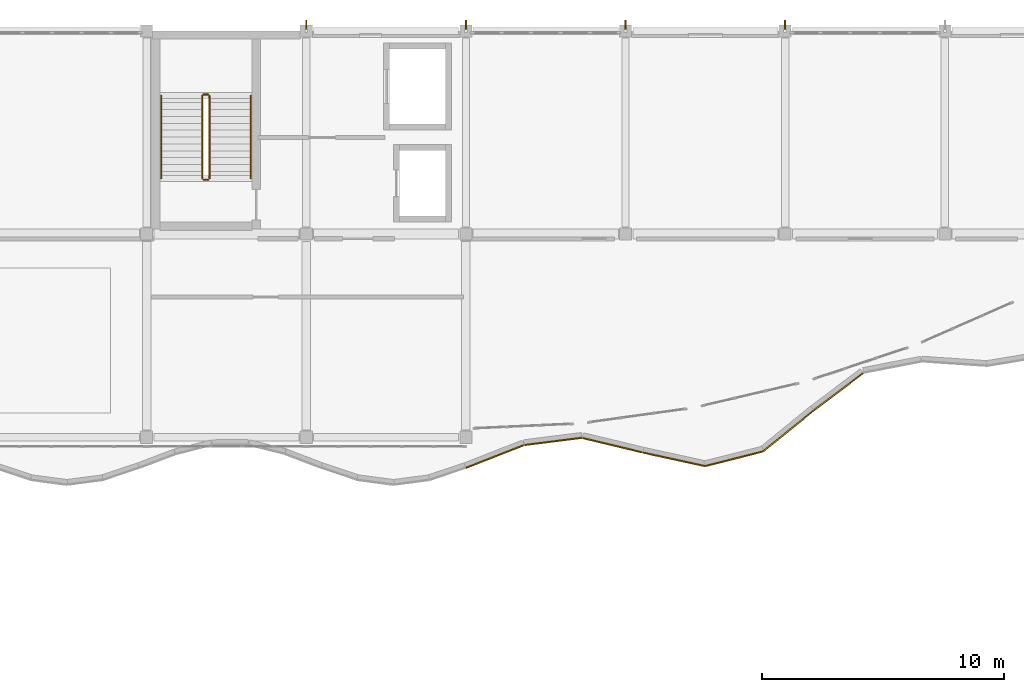
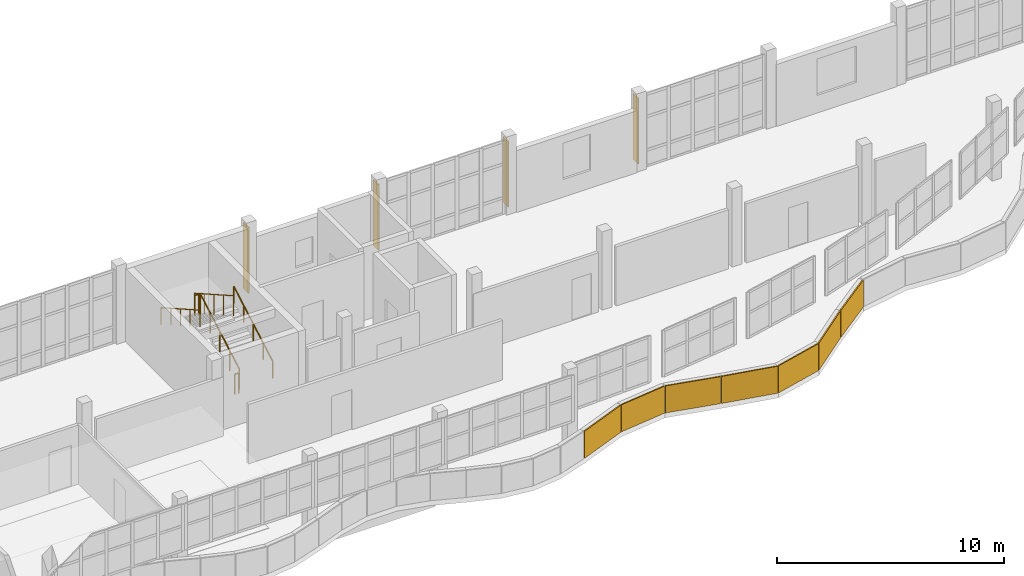
# One storey, part 74 of 78: 7 coverings, 6 railings, 4 shading devices.
"""IFC4 building model written with IfcOpenShell, lengths in metres."""

from ifc_helpers import new_model, si_unit, direction, frame, origin, origin_2d, place, context, subcontext, project, spatial, rectangle, circle, extrude, material, layer, layer_set, type_object, element, save


model = new_model("IFC4")

# Units and contexts
model_context = context("Model", 3, precision=1e-05, world=origin(), true_north=direction((0.0, 1.0)))
body_context = subcontext(model_context, "Body", "Model", "MODEL_VIEW")
ifc_project = project(units=[si_unit("LENGTHUNIT", "METRE"), si_unit("AREAUNIT", "SQUARE_METRE"), si_unit("VOLUMEUNIT", "CUBIC_METRE"), si_unit("PLANEANGLEUNIT", "RADIAN"), si_unit("MASSUNIT", "GRAM", prefix="KILO")], contexts=[model_context])

# Site, building, storey
site_placement = place(None, origin())
site = spatial("IfcSite", under=ifc_project, at=site_placement, CompositionType="ELEMENT")
building_placement = place(site_placement, origin())
building = spatial("IfcBuilding", under=site, at=building_placement, Name="Qaldarim Faculty of Natural and Applied Sciences", CompositionType="ELEMENT")
storey_placement = place(building_placement, frame((0.0, 0.0, 18.60009765625)))
storey = spatial("IfcBuildingStorey", under=building, at=storey_placement, Name="L04", CompositionType="ELEMENT", Elevation=18.60009765625)

# Railings
ifc_material_1 = material(Name="Architectural stainless steel 316", Category="steel")
railing_type_1 = type_object("IfcRailingType", Name="GuardBalustrade-1100", PredefinedType="BALUSTRADE", material=ifc_material_1)
railing_1_placement = place(storey_placement, frame((101.60009765625, 111.5, 0.159912109375)))
element("IfcRailing", 1, at=railing_1_placement, inside=storey, type_object=railing_type_1, Name="ST-B1 L04 stair well guard 1", PredefinedType="BALUSTRADE", context=body_context, shape_type="SweptSolid", body=[
    extrude(circle(Radius=0.02392578125, at=origin_2d()), frame((0.0, 0.0, 1.076171875), z_axis=(0.0, 0.869805479697, 0.493394798806), x_axis=(-1.0, 0.0, 0.0)), (0.0, 0.0, 1.0), 3.931884765625),
    extrude(circle(Radius=0.02099609375, at=origin_2d()), origin(), (0.0, 0.0, 1.0), 1.052001953125),
    extrude(circle(Radius=0.02099609375, at=origin_2d()), frame((0.0, 0.85498046875, 0.48486328125)), (0.0, 0.0, 1.0), 1.052001953125),
    extrude(circle(Radius=0.02099609375, at=origin_2d()), frame((0.0, 1.7099609375, 0.969970703125)), (0.0, 0.0, 1.0), 1.052001953125),
    extrude(circle(Radius=0.02099609375, at=origin_2d()), frame((0.0, 2.56494140625, 1.455078125)), (0.0, 0.0, 1.0), 1.052001953125),
    extrude(circle(Radius=0.02099609375, at=origin_2d()), frame((0.0, 3.419921875, 1.93994140625)), (0.0, 0.0, 1.0), 1.052001953125),
])
railing_2_placement = place(storey_placement, frame((101.550048828125, 114.969970703125, 2.099853515625)))
element("IfcRailing", 2, at=railing_2_placement, inside=storey, type_object=railing_type_1, Name="ST-B1 L04 stair well guard 2", PredefinedType="BALUSTRADE", context=body_context, shape_type="SweptSolid", body=[
    extrude(circle(Radius=0.02392578125, at=origin_2d()), frame((0.0, 0.0, 1.076171875), z_axis=(-1.0, 0.0, 0.0), x_axis=(0.0, -1.0, 0.0)), (0.0, 0.0, 1.0), 0.199951171875),
    extrude(circle(Radius=0.02099609375, at=origin_2d()), origin(), (0.0, 0.0, 1.0), 1.052001953125),
    extrude(circle(Radius=0.02099609375, at=origin_2d()), frame((-0.199951171875, 0.0, 0.0)), (0.0, 0.0, 1.0), 1.052001953125),
])
railing_3_placement = place(storey_placement, frame((101.300048828125, 114.919921875, 2.260009765625)))
element("IfcRailing", 3, at=railing_3_placement, inside=storey, type_object=railing_type_1, Name="ST-B1 L04 stair well guard 3", PredefinedType="BALUSTRADE", context=body_context, shape_type="SweptSolid", body=[
    extrude(circle(Radius=0.02392578125, at=origin_2d()), frame((0.0, 0.0, 1.076171875), z_axis=(0.0, -0.869805479697, 0.493394798806), x_axis=(1.0, 0.0, 0.0)), (0.0, 0.0, 1.0), 3.931884765625),
    extrude(circle(Radius=0.02099609375, at=origin_2d()), origin(), (0.0, 0.0, 1.0), 1.052001953125),
    extrude(circle(Radius=0.02099609375, at=origin_2d()), frame((0.0, -0.85498046875, 0.48486328125)), (0.0, 0.0, 1.0), 1.052001953125),
    extrude(circle(Radius=0.02099609375, at=origin_2d()), frame((0.0, -1.7099609375, 0.969970703125)), (0.0, 0.0, 1.0), 1.052001953125),
    extrude(circle(Radius=0.02099609375, at=origin_2d()), frame((0.0, -2.56494140625, 1.455078125)), (0.0, 0.0, 1.0), 1.052001953125),
    extrude(circle(Radius=0.02099609375, at=origin_2d()), frame((0.0, -3.419921875, 1.93994140625)), (0.0, 0.0, 1.0), 1.052001953125),
])
railing_4_placement = place(storey_placement, frame((101.550048828125, 111.449951171875, 0.0)))
element("IfcRailing", 4, at=railing_4_placement, inside=storey, type_object=railing_type_1, Name="ST-B1 L04 stair well guard 4", PredefinedType="BALUSTRADE", context=body_context, shape_type="SweptSolid", body=[
    extrude(circle(Radius=0.02392578125, at=origin_2d()), frame((0.0, 0.0, 1.076171875), z_axis=(-1.0, 0.0, 0.0), x_axis=(0.0, -1.0, 0.0)), (0.0, 0.0, 1.0), 0.199951171875),
    extrude(circle(Radius=0.02099609375, at=origin_2d()), origin(), (0.0, 0.0, 1.0), 1.052001953125),
    extrude(circle(Radius=0.02099609375, at=origin_2d()), frame((-0.199951171875, 0.0, 0.0)), (0.0, 0.0, 1.0), 1.052001953125),
])

# Coverings
ifc_material_2 = material(Name="White architectural precast concrete C40/50", Category="concrete")
ifc_layer_1 = layer(ifc_material_2, 0.06005859375)
ifc_layer_set_1 = layer_set([ifc_layer_1], Name="White architectural precast concrete C40/50")
covering_type = type_object("IfcCoveringType", Name="LimestoneSpandrelCladding-60", PredefinedType="CLADDING", material=ifc_layer_set_1)
covering_1_placement = place(storey_placement, frame((113.39501953125, 100.0, 0.0), z_axis=(0.0, 0.0, 1.0), x_axis=(0.93098574739, 0.365055527497, 0.0)))
element("IfcCovering", 5, at=covering_1_placement, inside=storey, type_object=covering_type, Name="White limestone wave band fascia L04 chord 45", PredefinedType="CLADDING", context=body_context, shape_type="SweptSolid", body=[
    extrude(rectangle(XDim=2.550048828125, YDim=0.06005859375, at=origin_2d()), origin(), (0.0, 0.0, 1.0), 1.449951171875),
])
covering_2_placement = place(storey_placement, frame((115.804931640625, 100.625, 0.0), z_axis=(0.0, 0.0, 1.0), x_axis=(0.992212831803, 0.124553989924, 0.0)))
element("IfcCovering", 6, at=covering_2_placement, inside=storey, type_object=covering_type, Name="White limestone wave band fascia L04 chord 46", PredefinedType="CLADDING", context=body_context, shape_type="SweptSolid", body=[
    extrude(rectangle(XDim=2.3701171875, YDim=0.06005859375, at=origin_2d()), origin(), (0.0, 0.0, 1.0), 1.449951171875),
])
covering_3_placement = place(storey_placement, frame((118.260009765625, 100.469970703125, 0.0), z_axis=(0.0, 0.0, 1.0), x_axis=(0.972051217016, -0.234768889545, 0.0)))
element("IfcCovering", 7, at=covering_3_placement, inside=storey, type_object=covering_type, Name="White limestone wave band fascia L04 chord 47", PredefinedType="CLADDING", context=body_context, shape_type="SweptSolid", body=[
    extrude(rectangle(XDim=2.534912109375, YDim=0.06005859375, at=origin_2d()), origin(), (0.0, 0.0, 1.0), 1.449951171875),
])
covering_4_placement = place(storey_placement, frame((120.804931640625, 99.885009765625, 0.0), z_axis=(0.0, 0.0, 1.0), x_axis=(0.977023260588, -0.21313270108, 0.0)))
element("IfcCovering", 8, at=covering_4_placement, inside=storey, type_object=covering_type, Name="White limestone wave band fascia L04 chord 48", PredefinedType="CLADDING", context=body_context, shape_type="SweptSolid", body=[
    extrude(rectangle(XDim=2.610107421875, YDim=0.06005859375, at=origin_2d()), origin(), (0.0, 0.0, 1.0), 1.449951171875),
])
covering_5_placement = place(storey_placement, frame((123.2900390625, 99.909912109375, 0.0), z_axis=(0.0, 0.0, 1.0), x_axis=(0.969428221846, 0.245375065334, 0.0)))
element("IfcCovering", 9, at=covering_5_placement, inside=storey, type_object=covering_type, Name="White limestone wave band fascia L04 chord 49", PredefinedType="CLADDING", context=body_context, shape_type="SweptSolid", body=[
    extrude(rectangle(XDim=2.445068359375, YDim=0.06005859375, at=origin_2d()), origin(), (0.0, 0.0, 1.0), 1.449951171875),
])
covering_6_placement = place(storey_placement, frame((125.534912109375, 101.06005859375, 0.0), z_axis=(0.0, 0.0, 1.0), x_axis=(0.776343519861, 0.630310034165, 0.0)))
element("IfcCovering", 10, at=covering_6_placement, inside=storey, type_object=covering_type, Name="White limestone wave band fascia L04 chord 50", PredefinedType="CLADDING", context=body_context, shape_type="SweptSolid", body=[
    extrude(rectangle(XDim=2.6650390625, YDim=0.06005859375, at=origin_2d()), origin(), (0.0, 0.0, 1.0), 1.449951171875),
])
covering_7_placement = place(storey_placement, frame((127.610107421875, 102.68505859375, 0.0), z_axis=(0.0, 0.0, 1.0), x_axis=(0.797889137647, 0.602804216994, 0.0)))
element("IfcCovering", 11, at=covering_7_placement, inside=storey, type_object=covering_type, Name="White limestone wave band fascia L04 chord 51", PredefinedType="CLADDING", context=body_context, shape_type="SweptSolid", body=[
    extrude(rectangle(XDim=2.52490234375, YDim=0.06005859375, at=origin_2d()), origin(), (0.0, 0.0, 1.0), 1.449951171875),
])

# Railings
railing_type_2 = type_object("IfcRailingType", Name="StairHandrail-920", PredefinedType="HANDRAIL", material=ifc_material_1)
railing_5_placement = place(storey_placement, frame((103.300048828125, 111.5, 0.159912109375)))
element("IfcRailing", 12, at=railing_5_placement, inside=storey, type_object=railing_type_2, Name="ST-B1 L04 stair handrail 1", PredefinedType="HANDRAIL", context=body_context, shape_type="SweptSolid", body=[
    extrude(circle(Radius=0.02392578125, at=origin_2d()), frame((0.0, 0.0, 0.89599609375), z_axis=(0.0, 0.869805479697, 0.493394798806), x_axis=(-1.0, 0.0, 0.0)), (0.0, 0.0, 1.0), 3.931884765625),
    extrude(circle(Radius=0.02099609375, at=origin_2d()), origin(), (0.0, 0.0, 1.0), 0.871826171875),
    extrude(circle(Radius=0.02099609375, at=origin_2d()), frame((0.0, 0.85498046875, 0.48486328125)), (0.0, 0.0, 1.0), 0.871826171875),
    extrude(circle(Radius=0.02099609375, at=origin_2d()), frame((0.0, 1.7099609375, 0.969970703125)), (0.0, 0.0, 1.0), 0.871826171875),
    extrude(circle(Radius=0.02099609375, at=origin_2d()), frame((0.0, 2.56494140625, 1.455078125)), (0.0, 0.0, 1.0), 0.871826171875),
    extrude(circle(Radius=0.02099609375, at=origin_2d()), frame((0.0, 3.419921875, 1.93994140625)), (0.0, 0.0, 1.0), 0.871826171875),
])
railing_6_placement = place(storey_placement, frame((99.60009765625, 114.919921875, 2.260009765625)))
element("IfcRailing", 13, at=railing_6_placement, inside=storey, type_object=railing_type_2, Name="ST-B1 L04 stair handrail 2", PredefinedType="HANDRAIL", context=body_context, shape_type="SweptSolid", body=[
    extrude(circle(Radius=0.02392578125, at=origin_2d()), frame((0.0, 0.0, 0.89599609375), z_axis=(0.0, -0.869805479697, 0.493394798806), x_axis=(1.0, 0.0, 0.0)), (0.0, 0.0, 1.0), 3.931884765625),
    extrude(circle(Radius=0.02099609375, at=origin_2d()), origin(), (0.0, 0.0, 1.0), 0.871826171875),
    extrude(circle(Radius=0.02099609375, at=origin_2d()), frame((0.0, -0.85498046875, 0.48486328125)), (0.0, 0.0, 1.0), 0.871826171875),
    extrude(circle(Radius=0.02099609375, at=origin_2d()), frame((0.0, -1.7099609375, 0.969970703125)), (0.0, 0.0, 1.0), 0.871826171875),
    extrude(circle(Radius=0.02099609375, at=origin_2d()), frame((0.0, -2.56494140625, 1.455078125)), (0.0, 0.0, 1.0), 0.871826171875),
    extrude(circle(Radius=0.02099609375, at=origin_2d()), frame((0.0, -3.419921875, 1.93994140625)), (0.0, 0.0, 1.0), 0.871826171875),
])

# Shading devices
ifc_material_3 = material(Name="Champagne anodised aluminium AW-6063", Category="aluminium")
ifc_layer_2 = layer(ifc_material_3, 0.06005859375)
ifc_layer_set_2 = layer_set([ifc_layer_2], Name="Champagne anodised aluminium AW-6063")
shading_device_type = type_object("IfcShadingDeviceType", Name="VerticalSunFin-ALU450x60", PredefinedType="SHUTTER", material=ifc_layer_set_2)
for number, where, z_axis, x_axis, name in (
    (14, (105.60009765625, 117.824951171875, 0.199951171875), (0.0, 0.0, 1.0), (1.0, 0.0, 0.0), "North pier fin FIN-V4N-L04-X17"),
    (15, (112.199951171875, 117.824951171875, 0.199951171875), (0.0, 0.0, 1.0), (1.0, 0.0, 0.0), "North pier fin FIN-V4N-L04-X18"),
    (16, (118.800048828125, 117.824951171875, 0.199951171875), (0.0, 0.0, 1.0), (1.0, 0.0, 0.0), "North pier fin FIN-V4N-L04-X19"),
    (17, (125.39990234375, 117.824951171875, 0.199951171875), (0.0, 0.0, 1.0), (1.0, 0.0, 0.0), "North pier fin FIN-V4N-L04-X20"),
):
    element("IfcShadingDevice", number, at=place(storey_placement, frame(where, z_axis=z_axis, x_axis=x_axis)), inside=storey, type_object=shading_device_type, Name=name, PredefinedType="SHUTTER", context=body_context, shape_type="SweptSolid", body=[
        extrude(rectangle(XDim=0.06005859375, YDim=0.449951171875, at=origin_2d()), origin(), (0.0, 0.0, 1.0), 3.5400390625),
    ])

save(model, "model.ifc")
